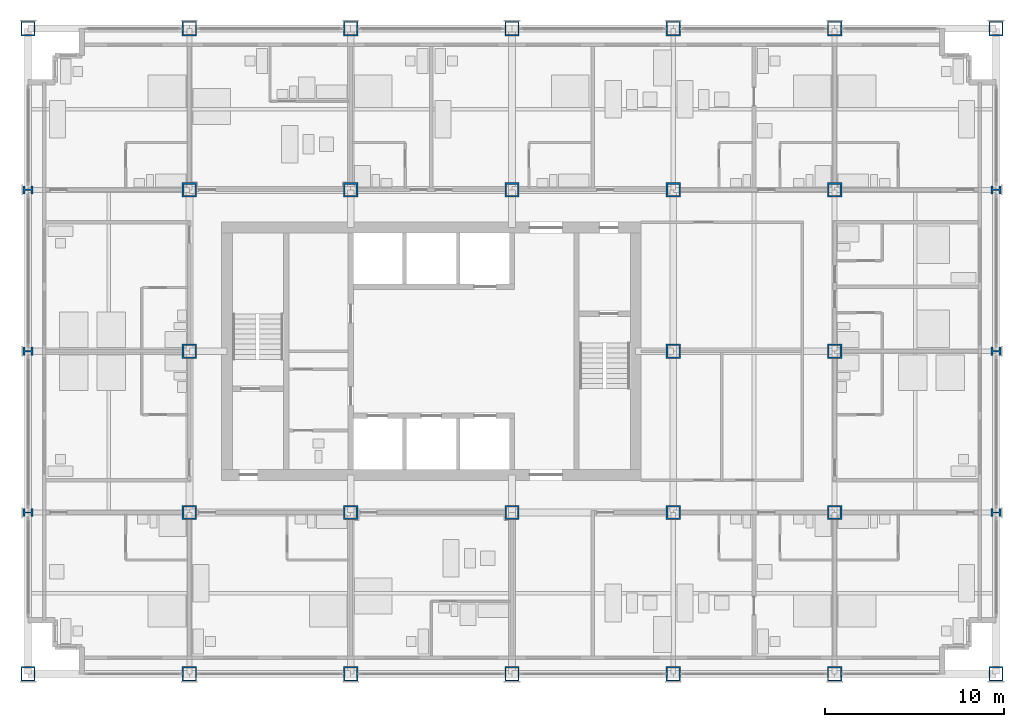
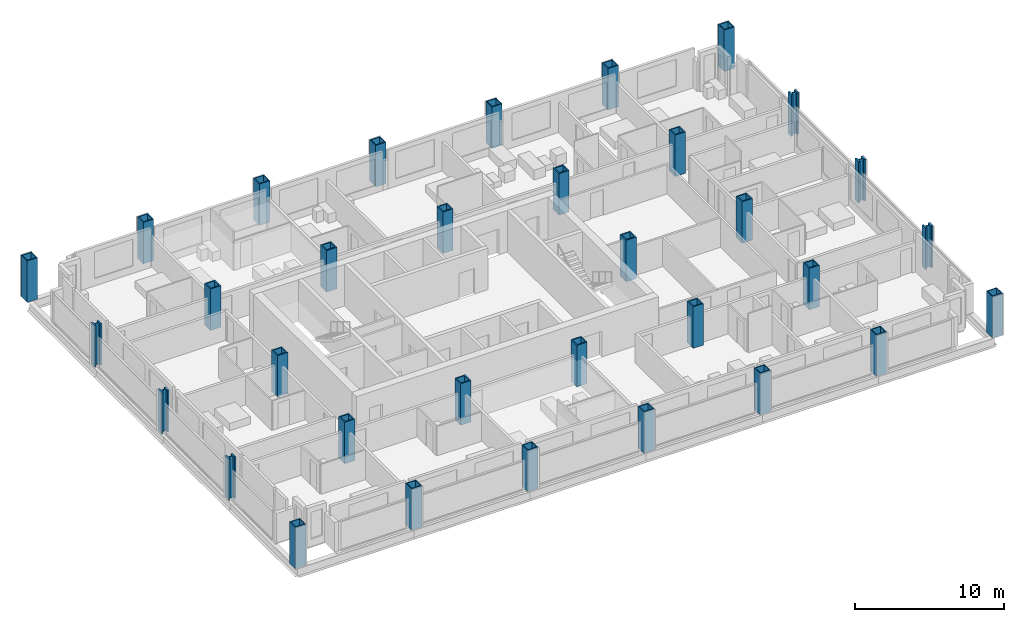
# One storey, part 1 of 18: 33 columns.
"""IFC4 building model written with IfcOpenShell, lengths in metres."""

from ifc_helpers import new_model, si_unit, direction, frame, origin, origin_2d, place, context, subcontext, project, spatial, hollow_rectangle, i_section, extrude, material, material_profile, profile_set, type_object, element, save


model = new_model("IFC4")

# Units and contexts
model_context = context("Model", 3, precision=1e-05, world=origin(), true_north=direction((0.0, 1.0)))
body_context = subcontext(model_context, "Body", "Model", "MODEL_VIEW")
ifc_project = project(units=[si_unit("LENGTHUNIT", "METRE"), si_unit("AREAUNIT", "SQUARE_METRE"), si_unit("VOLUMEUNIT", "CUBIC_METRE"), si_unit("PLANEANGLEUNIT", "RADIAN"), si_unit("MASSUNIT", "GRAM", prefix="KILO")], contexts=[model_context])

# Site, building, storey
site_placement = place(None, origin())
site = spatial("IfcSite", under=ifc_project, at=site_placement, CompositionType="ELEMENT")
building_placement = place(site_placement, origin())
building = spatial("IfcBuilding", under=site, at=building_placement, Name="Loomwork Tower", CompositionType="ELEMENT")
storey_placement = place(building_placement, frame((0.0, 0.0, 75.60009765625)))
storey = spatial("IfcBuildingStorey", under=building, at=storey_placement, Name="L19", CompositionType="ELEMENT", Elevation=75.60009765625)

# Columns
ifc_material_1 = material(Name="Steel ASTM A572 Grade 50 plate", Category="steel")
ifc_material_profile_1 = material_profile(ifc_material_1, hollow_rectangle(XDim=0.800048828125, YDim=0.800048828125, WallThickness=0.070068359375, at=origin_2d()), Name="BOX800x70")
ifc_profile_set_1 = profile_set([ifc_material_profile_1], Name="Steel ASTM A572 Grade 50 plate")
column_type_1 = type_object("IfcColumnType", Name="EXOSKELETON PIER BOX800x70", PredefinedType="COLUMN", material=ifc_profile_set_1)
for number, where, z_axis, x_axis, name in (
    (1, (0.0, 0.0, 0.0), (0.0, 0.0, 1.0), (1.0, 0.0, 0.0), "Exoskeleton Pier D/2 L19"),
    (2, (0.0, 36.0, 0.0), (0.0, 0.0, 1.0), (1.0, 0.0, 0.0), "Exoskeleton Pier H/2 L19"),
    (3, (9.0, 0.0, 0.0), (0.0, 0.0, 1.0), (1.0, 0.0, 0.0), "Exoskeleton Pier D/3 L19"),
    (4, (9.0, 36.0, 0.0), (0.0, 0.0, 1.0), (1.0, 0.0, 0.0), "Exoskeleton Pier H/3 L19"),
    (5, (18.0, 0.0, 0.0), (0.0, 0.0, 1.0), (1.0, 0.0, 0.0), "Exoskeleton Pier D/4 L19"),
    (6, (18.0, 36.0, 0.0), (0.0, 0.0, 1.0), (1.0, 0.0, 0.0), "Exoskeleton Pier H/4 L19"),
    (7, (27.0, 0.0, 0.0), (0.0, 0.0, 1.0), (1.0, 0.0, 0.0), "Exoskeleton Pier D/5 L19"),
    (8, (27.0, 36.0, 0.0), (0.0, 0.0, 1.0), (1.0, 0.0, 0.0), "Exoskeleton Pier H/5 L19"),
    (9, (36.0, 0.0, 0.0), (0.0, 0.0, 1.0), (1.0, 0.0, 0.0), "Exoskeleton Pier D/6 L19"),
    (10, (36.0, 36.0, 0.0), (0.0, 0.0, 1.0), (1.0, 0.0, 0.0), "Exoskeleton Pier H/6 L19"),
    (11, (45.0, 0.0, 0.0), (0.0, 0.0, 1.0), (1.0, 0.0, 0.0), "Exoskeleton Pier D/7 L19"),
    (12, (45.0, 36.0, 0.0), (0.0, 0.0, 1.0), (1.0, 0.0, 0.0), "Exoskeleton Pier H/7 L19"),
    (13, (54.0, 0.0, 0.0), (0.0, 0.0, 1.0), (1.0, 0.0, 0.0), "Exoskeleton Pier D/8 L19"),
    (14, (54.0, 36.0, 0.0), (0.0, 0.0, 1.0), (1.0, 0.0, 0.0), "Exoskeleton Pier H/8 L19"),
):
    element("IfcColumn", number, at=place(storey_placement, frame(where, z_axis=z_axis, x_axis=x_axis)), inside=storey, type_object=column_type_1, Name=name, PredefinedType="COLUMN", context=body_context, shape_type="SweptSolid", body=[
        extrude(hollow_rectangle(XDim=0.800048828125, YDim=0.800048828125, WallThickness=0.070068359375, at=origin_2d()), origin(), (0.0, 0.0, 1.0), 3.39990234375),
    ])
ifc_material_2 = material(Name="Steel ASTM A992", Category="steel")
ifc_material_profile_2 = material_profile(ifc_material_2, i_section(OverallWidth=0.45458984375, OverallDepth=0.56884765625, WebThickness=0.077880859375, FlangeThickness=0.124755859375, at=origin_2d()), Name="W14x730")
ifc_profile_set_2 = profile_set([ifc_material_profile_2], Name="Steel ASTM A992")
column_type_2 = type_object("IfcColumnType", Name="EXOSKELETON PIER W14x730", PredefinedType="COLUMN", material=ifc_profile_set_2)
for number, where, z_axis, x_axis, name in (
    (15, (0.0, 9.0, 0.0), (0.0, 0.0, 1.0), (0.0, 1.0, 0.0), "Exoskeleton Pier E/2 L19"),
    (16, (0.0, 18.0, 0.0), (0.0, 0.0, 1.0), (0.0, 1.0, 0.0), "Exoskeleton Pier F/2 L19"),
    (17, (0.0, 27.0, 0.0), (0.0, 0.0, 1.0), (0.0, 1.0, 0.0), "Exoskeleton Pier G/2 L19"),
    (18, (54.0, 9.0, 0.0), (0.0, 0.0, 1.0), (0.0, 1.0, 0.0), "Exoskeleton Pier E/8 L19"),
    (19, (54.0, 18.0, 0.0), (0.0, 0.0, 1.0), (0.0, 1.0, 0.0), "Exoskeleton Pier F/8 L19"),
    (20, (54.0, 27.0, 0.0), (0.0, 0.0, 1.0), (0.0, 1.0, 0.0), "Exoskeleton Pier G/8 L19"),
):
    element("IfcColumn", number, at=place(storey_placement, frame(where, z_axis=z_axis, x_axis=x_axis)), inside=storey, type_object=column_type_2, Name=name, PredefinedType="COLUMN", context=body_context, shape_type="SweptSolid", body=[
        extrude(i_section(OverallWidth=0.45458984375, OverallDepth=0.56884765625, WebThickness=0.077880859375, FlangeThickness=0.124755859375, at=origin_2d()), origin(), (0.0, 0.0, 1.0), 3.39990234375),
    ])
ifc_material_3 = material(Name="Steel ASTM A572 Grade 50 plate", Category="steel")
ifc_material_profile_3 = material_profile(ifc_material_3, hollow_rectangle(XDim=0.800048828125, YDim=0.800048828125, WallThickness=0.090087890625, at=origin_2d()), Name="BOX800x90")
ifc_profile_set_3 = profile_set([ifc_material_profile_3], Name="Steel ASTM A572 Grade 50 plate")
column_type_3 = type_object("IfcColumnType", Name="TOWER COLUMN BOX800x90", PredefinedType="COLUMN", material=ifc_profile_set_3)
for number, where, z_axis, x_axis, name in (
    (21, (9.0, 9.0, 0.0), (0.0, 0.0, 1.0), (1.0, 0.0, 0.0), "Tower Column E/3 L19"),
    (22, (9.0, 18.0, 0.0), (0.0, 0.0, 1.0), (1.0, 0.0, 0.0), "Tower Column F/3 L19"),
    (23, (9.0, 27.0, 0.0), (0.0, 0.0, 1.0), (1.0, 0.0, 0.0), "Tower Column G/3 L19"),
    (24, (18.0, 9.0, 0.0), (0.0, 0.0, 1.0), (1.0, 0.0, 0.0), "Tower Column E/4 L19"),
    (25, (18.0, 27.0, 0.0), (0.0, 0.0, 1.0), (1.0, 0.0, 0.0), "Tower Column G/4 L19"),
    (26, (27.0, 9.0, 0.0), (0.0, 0.0, 1.0), (1.0, 0.0, 0.0), "Tower Column E/5 L19"),
    (27, (27.0, 27.0, 0.0), (0.0, 0.0, 1.0), (1.0, 0.0, 0.0), "Tower Column G/5 L19"),
    (28, (36.0, 9.0, 0.0), (0.0, 0.0, 1.0), (0.0, 1.0, 0.0), "Tower Column E/6 L19"),
    (29, (36.0, 18.0, 0.0), (0.0, 0.0, 1.0), (0.0, 1.0, 0.0), "Tower Column F/6 L19"),
    (30, (36.0, 27.0, 0.0), (0.0, 0.0, 1.0), (1.0, 0.0, 0.0), "Tower Column G/6 L19"),
    (31, (45.0, 9.0, 0.0), (0.0, 0.0, 1.0), (0.0, 1.0, 0.0), "Tower Column E/7 L19"),
    (32, (45.0, 18.0, 0.0), (0.0, 0.0, 1.0), (0.0, 1.0, 0.0), "Tower Column F/7 L19"),
    (33, (45.0, 27.0, 0.0), (0.0, 0.0, 1.0), (0.0, 1.0, 0.0), "Tower Column G/7 L19"),
):
    element("IfcColumn", number, at=place(storey_placement, frame(where, z_axis=z_axis, x_axis=x_axis)), inside=storey, type_object=column_type_3, Name=name, PredefinedType="COLUMN", context=body_context, shape_type="SweptSolid", body=[
        extrude(hollow_rectangle(XDim=0.800048828125, YDim=0.800048828125, WallThickness=0.090087890625, at=origin_2d()), origin(), (0.0, 0.0, 1.0), 3.39990234375),
    ])

save(model, "model.ifc")
